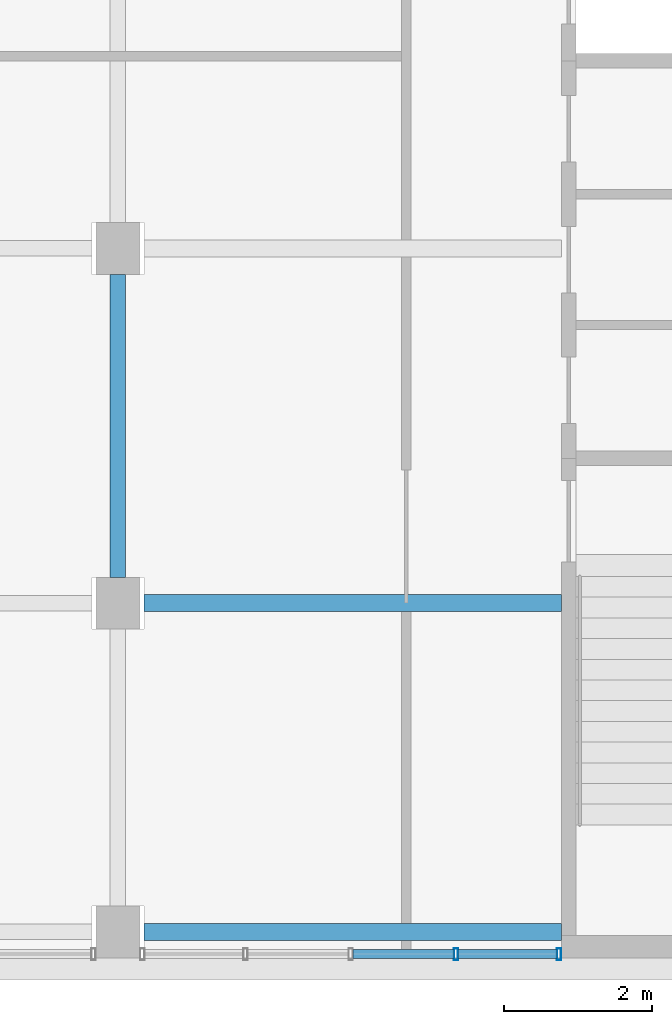
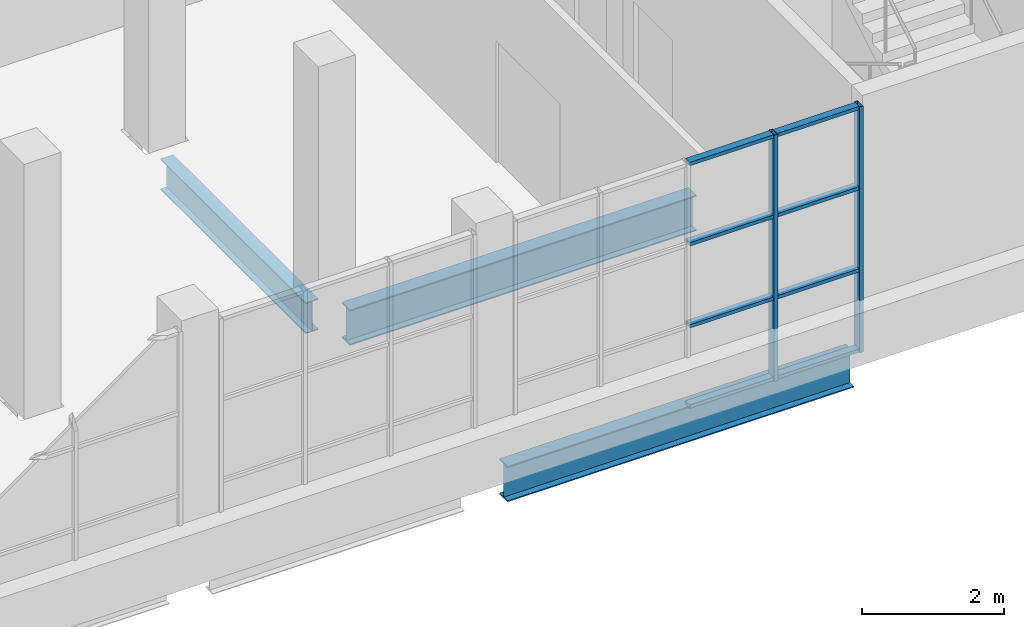
# One storey, part 3 of 32: 10 members, 3 beams, 1 element without a shape of its own.
"""IFC4 building model written with IfcOpenShell, lengths in metres."""

from ifc_helpers import new_model, si_unit, direction, frame, origin, origin_2d, place, context, subcontext, project, spatial, hollow_rectangle, i_section, extrude, material, layer, layer_set, material_profile, profile_set, type_object, element, aggregate, save


model = new_model("IFC4")

# Units and contexts
model_context = context("Model", 3, precision=1e-05, world=origin(), true_north=direction((0.0, 1.0)))
body_context = subcontext(model_context, "Body", "Model", "MODEL_VIEW")
ifc_project = project(units=[si_unit("LENGTHUNIT", "METRE"), si_unit("AREAUNIT", "SQUARE_METRE"), si_unit("VOLUMEUNIT", "CUBIC_METRE"), si_unit("PLANEANGLEUNIT", "RADIAN"), si_unit("MASSUNIT", "GRAM", prefix="KILO")], contexts=[model_context])

# Site, building, storey
site_placement = place(None, origin())
site = spatial("IfcSite", under=ifc_project, at=site_placement, CompositionType="ELEMENT")
building_placement = place(site_placement, origin())
building = spatial("IfcBuilding", under=site, at=building_placement, Name="Baori Bourse Tower", CompositionType="ELEMENT")
storey_placement = place(building_placement, frame((0.0, 0.0, 21.39990234375)))
storey = spatial("IfcBuildingStorey", under=building, at=storey_placement, Name="L03", CompositionType="ELEMENT", Elevation=21.39990234375)

# Beams
ifc_material_1 = material(Name="Steel A992 Gr 50", Category="steel")
ifc_material_profile_1 = material_profile(ifc_material_1, i_section(OverallWidth=0.209228515625, OverallDepth=0.533447265625, WebThickness=0.01025390625, FlangeThickness=0.015625, at=origin_2d()), Name="W21x62")
ifc_profile_set_1 = profile_set([ifc_material_profile_1], Name="Steel A992 Gr 50")
beam_type_1 = type_object("IfcBeamType", Name="Wing beam W21x62", PredefinedType="BEAM", material=ifc_profile_set_1)
beam_placement = place(storey_placement, frame((-9.60009765625, -20.050048828125, -0.426513671875), z_axis=(0.0, 1.0, 0.0), x_axis=(-1.0, 0.0, 0.0)))
element("IfcBeam", 1, at=beam_placement, inside=storey, type_object=beam_type_1, Name="wing/L03/Wbeamy/007", PredefinedType="BEAM", context=body_context, shape_type="SweptSolid", body=[
    extrude(i_section(OverallWidth=0.209228515625, OverallDepth=0.533447265625, WebThickness=0.01025390625, FlangeThickness=0.015625, at=origin_2d()), origin(), (0.0, 0.0, 1.0), 4.10009765625),
])
ifc_material_2 = material(Name="Steel A992 Gr 50", Category="steel")
ifc_material_profile_2 = material_profile(ifc_material_2, i_section(OverallWidth=0.22900390625, OverallDepth=0.612060546875, WebThickness=0.011962890625, FlangeThickness=0.01953125, at=origin_2d()), Name="W24x84")
ifc_profile_set_2 = profile_set([ifc_material_profile_2], Name="Steel A992 Gr 50")
beam_type_2 = type_object("IfcBeamType", Name="Wing beam W24x84", PredefinedType="BEAM", material=ifc_profile_set_2)
for number, where, z_axis, x_axis, name in (
    (2, (-9.25, -24.85009765625, -0.466064453125), (1.0, 0.0, 0.0), (0.0, 1.0, 0.0), "wing/L03/Wbeam/003"),
    (3, (-9.25, -20.39990234375, -0.466064453125), (1.0, 0.0, 0.0), (0.0, 1.0, 0.0), "wing/L03/Wbeam/006"),
):
    element("IfcBeam", number, at=place(storey_placement, frame(where, z_axis=z_axis, x_axis=x_axis)), inside=storey, type_object=beam_type_2, Name=name, PredefinedType="BEAM", context=body_context, shape_type="SweptSolid", body=[
        extrude(i_section(OverallWidth=0.22900390625, OverallDepth=0.612060546875, WebThickness=0.011962890625, FlangeThickness=0.01953125, at=origin_2d()), origin(), (0.0, 0.0, 1.0), 5.64990234375),
    ])

# Curtain wall, members
ifc_material_3 = material(Name="Pale anodised aluminium", Category="aluminium")
ifc_layer = layer(ifc_material_3, 0.10009765625)
ifc_layer_set = layer_set([ifc_layer], Name="Wing curtain wall")
curtain_wall_type = type_object("IfcCurtainWallType", Name="Wing curtain wall", PredefinedType="NOTDEFINED", material=ifc_layer_set)
curtain_wall_placement = place(storey_placement, origin())
curtain_wall = element("IfcCurtainWall", 4, at=curtain_wall_placement, inside=storey, type_object=curtain_wall_type, Name="wing/L03/Wcw/003", PredefinedType="NOTDEFINED")
ifc_material_4 = material(Name="Pale anodised aluminium", Category="aluminium")
ifc_material_profile_3 = material_profile(ifc_material_4, hollow_rectangle(XDim=0.159912109375, YDim=0.06005859375, WallThickness=0.0048828125, at=origin_2d()), Name="Mullion 160x60x5")
ifc_profile_set_3 = profile_set([ifc_material_profile_3], Name="Pale anodised aluminium")
member_type_1 = type_object("IfcMemberType", Name="Wing mullion 60x160", PredefinedType="MULLION", material=ifc_profile_set_3)
member_1_placement = place(storey_placement, frame((-5.02490234375, -25.14990234375, 0.0), z_axis=(0.0, 0.0, 1.0), x_axis=(0.0, 1.0, 0.0)))
member_1 = element("IfcMember", 5, at=member_1_placement, type_object=member_type_1, Name="X12 mullion 4", PredefinedType="MULLION", context=body_context, shape_type="SweptSolid", body=[
    extrude(hollow_rectangle(XDim=0.159912109375, YDim=0.06005859375, WallThickness=0.0048828125, at=origin_2d()), origin(), (0.0, 0.0, 1.0), 4.239990234375),
])
member_2_placement = place(storey_placement, frame((-3.6298828125, -25.14990234375, 0.0), z_axis=(0.0, 0.0, 1.0), x_axis=(0.0, 1.0, 0.0)))
member_2 = element("IfcMember", 6, at=member_2_placement, type_object=member_type_1, Name="X12 mullion 5", PredefinedType="MULLION", context=body_context, shape_type="SweptSolid", body=[
    extrude(hollow_rectangle(XDim=0.159912109375, YDim=0.06005859375, WallThickness=0.0048828125, at=origin_2d()), origin(), (0.0, 0.0, 1.0), 4.239990234375),
])
ifc_material_5 = material(Name="Pale anodised aluminium", Category="aluminium")
ifc_material_profile_4 = material_profile(ifc_material_5, hollow_rectangle(XDim=0.1201171875, YDim=0.06005859375, WallThickness=0.0048828125, at=origin_2d()), Name="Transom 120x60x5")
ifc_profile_set_4 = profile_set([ifc_material_profile_4], Name="Pale anodised aluminium")
member_type_2 = type_object("IfcMemberType", Name="Wing transom 120x60", PredefinedType="USERDEFINED", material=ifc_profile_set_4)
member_3_placement = place(storey_placement, frame((-6.419921875, -25.14990234375, 0.030029296875), z_axis=(1.0, 0.0, 0.0), x_axis=(0.0, 1.0, 0.0)))
member_3 = element("IfcMember", 7, at=member_3_placement, type_object=member_type_2, Name="X12 transom 3.1", ObjectType="TRANSOM", PredefinedType="USERDEFINED", context=body_context, shape_type="SweptSolid", body=[
    extrude(hollow_rectangle(XDim=0.1201171875, YDim=0.06005859375, WallThickness=0.0048828125, at=origin_2d()), origin(), (0.0, 0.0, 1.0), 1.364990234375),
])
member_4_placement = place(storey_placement, frame((-6.419921875, -25.14990234375, 1.413330078125), z_axis=(1.0, 0.0, 0.0), x_axis=(0.0, 1.0, 0.0)))
member_4 = element("IfcMember", 8, at=member_4_placement, type_object=member_type_2, Name="X12 transom 3.2", ObjectType="TRANSOM", PredefinedType="USERDEFINED", context=body_context, shape_type="SweptSolid", body=[
    extrude(hollow_rectangle(XDim=0.1201171875, YDim=0.06005859375, WallThickness=0.0048828125, at=origin_2d()), origin(), (0.0, 0.0, 1.0), 1.364990234375),
])
member_5_placement = place(storey_placement, frame((-6.419921875, -25.14990234375, 2.82666015625), z_axis=(1.0, 0.0, 0.0), x_axis=(0.0, 1.0, 0.0)))
member_5 = element("IfcMember", 9, at=member_5_placement, type_object=member_type_2, Name="X12 transom 3.3", ObjectType="TRANSOM", PredefinedType="USERDEFINED", context=body_context, shape_type="SweptSolid", body=[
    extrude(hollow_rectangle(XDim=0.1201171875, YDim=0.06005859375, WallThickness=0.0048828125, at=origin_2d()), origin(), (0.0, 0.0, 1.0), 1.364990234375),
])
member_6_placement = place(storey_placement, frame((-6.419921875, -25.14990234375, 4.210205078125), z_axis=(1.0, 0.0, 0.0), x_axis=(0.0, 1.0, 0.0)))
member_6 = element("IfcMember", 10, at=member_6_placement, type_object=member_type_2, Name="X12 transom 3.4", ObjectType="TRANSOM", PredefinedType="USERDEFINED", context=body_context, shape_type="SweptSolid", body=[
    extrude(hollow_rectangle(XDim=0.1201171875, YDim=0.06005859375, WallThickness=0.0048828125, at=origin_2d()), origin(), (0.0, 0.0, 1.0), 1.364990234375),
])
member_7_placement = place(storey_placement, frame((-4.9951171875, -25.14990234375, 0.030029296875), z_axis=(1.0, 0.0, 0.0), x_axis=(0.0, 1.0, 0.0)))
member_7 = element("IfcMember", 11, at=member_7_placement, type_object=member_type_2, Name="X12 transom 4.1", ObjectType="TRANSOM", PredefinedType="USERDEFINED", context=body_context, shape_type="SweptSolid", body=[
    extrude(hollow_rectangle(XDim=0.1201171875, YDim=0.06005859375, WallThickness=0.0048828125, at=origin_2d()), origin(), (0.0, 0.0, 1.0), 1.335205078125),
])
member_8_placement = place(storey_placement, frame((-4.9951171875, -25.14990234375, 1.413330078125), z_axis=(1.0, 0.0, 0.0), x_axis=(0.0, 1.0, 0.0)))
member_8 = element("IfcMember", 12, at=member_8_placement, type_object=member_type_2, Name="X12 transom 4.2", ObjectType="TRANSOM", PredefinedType="USERDEFINED", context=body_context, shape_type="SweptSolid", body=[
    extrude(hollow_rectangle(XDim=0.1201171875, YDim=0.06005859375, WallThickness=0.0048828125, at=origin_2d()), origin(), (0.0, 0.0, 1.0), 1.335205078125),
])
member_9_placement = place(storey_placement, frame((-4.9951171875, -25.14990234375, 2.82666015625), z_axis=(1.0, 0.0, 0.0), x_axis=(0.0, 1.0, 0.0)))
member_9 = element("IfcMember", 13, at=member_9_placement, type_object=member_type_2, Name="X12 transom 4.3", ObjectType="TRANSOM", PredefinedType="USERDEFINED", context=body_context, shape_type="SweptSolid", body=[
    extrude(hollow_rectangle(XDim=0.1201171875, YDim=0.06005859375, WallThickness=0.0048828125, at=origin_2d()), origin(), (0.0, 0.0, 1.0), 1.335205078125),
])
member_10_placement = place(storey_placement, frame((-4.9951171875, -25.14990234375, 4.210205078125), z_axis=(1.0, 0.0, 0.0), x_axis=(0.0, 1.0, 0.0)))
member_10 = element("IfcMember", 14, at=member_10_placement, type_object=member_type_2, Name="X12 transom 4.4", ObjectType="TRANSOM", PredefinedType="USERDEFINED", context=body_context, shape_type="SweptSolid", body=[
    extrude(hollow_rectangle(XDim=0.1201171875, YDim=0.06005859375, WallThickness=0.0048828125, at=origin_2d()), origin(), (0.0, 0.0, 1.0), 1.335205078125),
])
aggregate(curtain_wall, [member_1, member_2, member_3, member_4, member_5, member_6, member_7, member_8, member_9, member_10])

save(model, "model.ifc")
